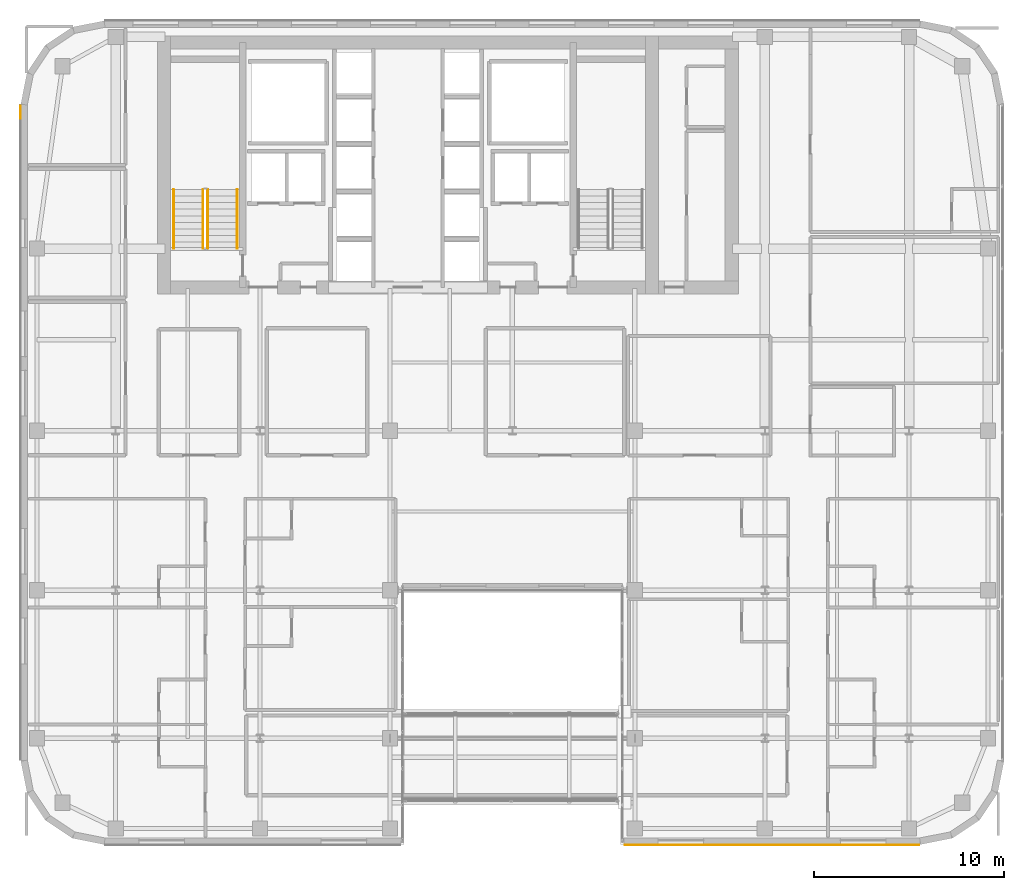
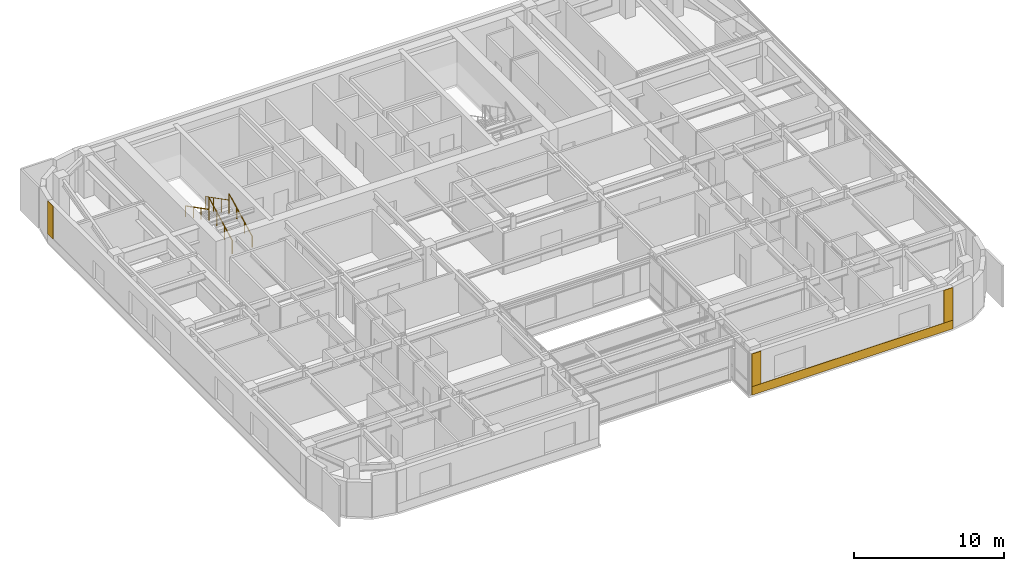
# One storey, part 24 of 26: 4 coverings, 4 railings.
"""IFC4 building model written with IfcOpenShell, lengths in metres."""

from ifc_helpers import new_model, si_unit, direction, frame, origin, origin_2d, place, context, subcontext, project, spatial, polyline, circle, outline, extrude, material, layer, layer_set, type_object, element, save


model = new_model("IFC4")

# Units and contexts
model_context = context("Model", 3, precision=1e-05, world=origin(), true_north=direction((0.0, 1.0)))
body_context = subcontext(model_context, "Body", "Model", "MODEL_VIEW")
ifc_project = project(units=[si_unit("LENGTHUNIT", "METRE"), si_unit("AREAUNIT", "SQUARE_METRE"), si_unit("VOLUMEUNIT", "CUBIC_METRE"), si_unit("PLANEANGLEUNIT", "RADIAN"), si_unit("MASSUNIT", "GRAM", prefix="KILO")], contexts=[model_context])

# Site, building, storey
site_placement = place(None, origin())
site = spatial("IfcSite", under=ifc_project, at=site_placement, CompositionType="ELEMENT")
building_placement = place(site_placement, origin())
building = spatial("IfcBuilding", under=site, at=building_placement, Name="Tolvann Quenvar Hotel", CompositionType="ELEMENT")
storey_placement = place(building_placement, frame((0.0, 0.0, 168.35009765625)))
storey = spatial("IfcBuildingStorey", under=building, at=storey_placement, Name="L44", CompositionType="ELEMENT", Elevation=168.35009765625)

# Coverings
ifc_material_1 = material(Name="Kiln-fired red architectural face brick cladding", Category="masonry")
ifc_layer_1 = layer(ifc_material_1, 0.0400390625)
ifc_layer_set_1 = layer_set([ifc_layer_1], Name="Kiln-fired red architectural face brick cladding")
covering_type_1 = type_object("IfcCoveringType", Name="COV_CLAD_BRICK_40", PredefinedType="CLADDING", material=ifc_layer_set_1)
covering_1_placement = place(storey_placement, frame((0.0, 0.0, 0.699951171875)))
element("IfcCovering", 1, at=covering_1_placement, inside=storey, type_object=covering_type_1, Name="Brick Pier Cladding (L44-E08-P1)", PredefinedType="CLADDING", context=body_context, shape_type="SweptSolid", body=[
    extrude(outline(polyline([(34.425048828125, 2.60009765625), (35.125, 2.60009765625), (35.125, 2.56005859375), (34.425048828125, 2.56005859375), (34.425048828125, 2.60009765625)])), origin(), (0.0, 0.0, 1.0), 2.669921875),
])
covering_2_placement = place(storey_placement, frame((0.0, 0.0, 0.699951171875)))
element("IfcCovering", 2, at=covering_2_placement, inside=storey, type_object=covering_type_1, Name="Brick Pier Cladding (L44-E08-P2)", PredefinedType="CLADDING", context=body_context, shape_type="SweptSolid", body=[
    extrude(outline(polyline([(49.23291015625, 2.60009765625), (49.932861328125, 2.60009765625), (49.932861328125, 2.56005859375), (49.23291015625, 2.56005859375), (49.23291015625, 2.60009765625)])), origin(), (0.0, 0.0, 1.0), 2.669921875),
])
covering_3_placement = place(storey_placement, frame((0.0, 0.0, 0.699951171875)))
element("IfcCovering", 3, at=covering_3_placement, inside=storey, type_object=covering_type_1, Name="Brick Pier Cladding (L44-E23-P1)", PredefinedType="CLADDING", context=body_context, shape_type="SweptSolid", body=[
    extrude(outline(polyline([(2.60009765625, 41.53271484375), (2.60009765625, 40.832763671875), (2.56005859375, 40.832763671875), (2.56005859375, 41.53271484375), (2.60009765625, 41.53271484375)])), origin(), (0.0, 0.0, 1.0), 2.669921875),
])
ifc_material_2 = material(Name="Moulded buff architectural terracotta spandrel cladding", Category="masonry")
ifc_layer_2 = layer(ifc_material_2, 0.0400390625)
ifc_layer_set_2 = layer_set([ifc_layer_2], Name="Moulded buff architectural terracotta spandrel cladding")
covering_type_2 = type_object("IfcCoveringType", Name="COV_CLAD_TERRA_40", PredefinedType="CLADDING", material=ifc_layer_set_2)
covering_4_placement = place(storey_placement, origin())
element("IfcCovering", 4, at=covering_4_placement, inside=storey, type_object=covering_type_2, Name="Terracotta Spandrel Cladding (L44-E08)", PredefinedType="CLADDING", context=body_context, shape_type="SweptSolid", body=[
    extrude(outline(polyline([(34.4150390625, 2.60009765625), (49.94287109375, 2.60009765625), (49.94287109375, 2.56005859375), (34.4150390625, 2.56005859375), (34.4150390625, 2.60009765625)])), origin(), (0.0, 0.0, 1.0), 0.699951171875),
])

# Railings
ifc_material_3 = material(Name="Brushed 316 stainless steel balustrade and handrail", Category="steel")
railing_type_1 = type_object("IfcRailingType", Name="GUARDRAIL", PredefinedType="GUARDRAIL", material=ifc_material_3)
railing_1_placement = place(storey_placement, frame((12.449951171875, 34.0, 0.177490234375)))
element("IfcRailing", 5, at=railing_1_placement, inside=storey, type_object=railing_type_1, Name="L44 ST-C1 stair guard 1", PredefinedType="GUARDRAIL", context=body_context, shape_type="SweptSolid", body=[
    extrude(circle(Radius=0.02392578125, at=origin_2d()), frame((0.0, 0.0, 1.09619140625), z_axis=(0.0, 0.889221982265, 0.45747597342), x_axis=(-1.0, 0.0, 0.0)), (0.0, 0.0, 1.0), 3.49169921875),
    extrude(circle(Radius=0.02099609375, at=origin_2d()), origin(), (0.0, 0.0, 1.0), 1.072021484375),
    extrude(circle(Radius=0.02099609375, at=origin_2d()), frame((0.0, 1.034912109375, 0.532470703125)), (0.0, 0.0, 1.0), 1.072021484375),
    extrude(circle(Radius=0.02099609375, at=origin_2d()), frame((0.0, 2.070068359375, 1.06494140625)), (0.0, 0.0, 1.0), 1.072021484375),
    extrude(circle(Radius=0.02099609375, at=origin_2d()), frame((0.0, 3.10498046875, 1.597412109375)), (0.0, 0.0, 1.0), 1.072021484375),
])
railing_2_placement = place(storey_placement, frame((12.199951171875, 37.10498046875, 1.952392578125)))
element("IfcRailing", 6, at=railing_2_placement, inside=storey, type_object=railing_type_1, Name="L44 ST-C1 stair guard 3", PredefinedType="GUARDRAIL", context=body_context, shape_type="SweptSolid", body=[
    extrude(circle(Radius=0.02392578125, at=origin_2d()), frame((0.0, 0.0, 1.09619140625), z_axis=(0.0, -0.889221982265, 0.45747597342), x_axis=(1.0, 0.0, 0.0)), (0.0, 0.0, 1.0), 3.49169921875),
    extrude(circle(Radius=0.02099609375, at=origin_2d()), origin(), (0.0, 0.0, 1.0), 1.072021484375),
    extrude(circle(Radius=0.02099609375, at=origin_2d()), frame((0.0, -1.034912109375, 0.532470703125)), (0.0, 0.0, 1.0), 1.072021484375),
    extrude(circle(Radius=0.02099609375, at=origin_2d()), frame((0.0, -2.070068359375, 1.06494140625)), (0.0, 0.0, 1.0), 1.072021484375),
    extrude(circle(Radius=0.02099609375, at=origin_2d()), frame((0.0, -3.10498046875, 1.597412109375)), (0.0, 0.0, 1.0), 1.072021484375),
])
railing_type_2 = type_object("IfcRailingType", Name="HANDRAIL", PredefinedType="HANDRAIL", material=ifc_material_3)
railing_3_placement = place(storey_placement, frame((14.0, 34.0, 0.177490234375)))
element("IfcRailing", 7, at=railing_3_placement, inside=storey, type_object=railing_type_2, Name="L44 ST-C1 stair handrail 1", PredefinedType="HANDRAIL", context=body_context, shape_type="SweptSolid", body=[
    extrude(circle(Radius=0.02392578125, at=origin_2d()), frame((0.0, 0.0, 0.8759765625), z_axis=(0.0, 0.889221982265, 0.45747597342), x_axis=(-1.0, 0.0, 0.0)), (0.0, 0.0, 1.0), 3.49169921875),
    extrude(circle(Radius=0.02099609375, at=origin_2d()), origin(), (0.0, 0.0, 1.0), 0.851806640625),
    extrude(circle(Radius=0.02099609375, at=origin_2d()), frame((0.0, 1.034912109375, 0.532470703125)), (0.0, 0.0, 1.0), 0.851806640625),
    extrude(circle(Radius=0.02099609375, at=origin_2d()), frame((0.0, 2.070068359375, 1.06494140625)), (0.0, 0.0, 1.0), 0.851806640625),
    extrude(circle(Radius=0.02099609375, at=origin_2d()), frame((0.0, 3.10498046875, 1.597412109375)), (0.0, 0.0, 1.0), 0.851806640625),
])
railing_4_placement = place(storey_placement, frame((10.64990234375, 37.10498046875, 1.952392578125)))
element("IfcRailing", 8, at=railing_4_placement, inside=storey, type_object=railing_type_2, Name="L44 ST-C1 stair handrail 2", PredefinedType="HANDRAIL", context=body_context, shape_type="SweptSolid", body=[
    extrude(circle(Radius=0.02392578125, at=origin_2d()), frame((0.0, 0.0, 0.8759765625), z_axis=(0.0, -0.889221982265, 0.45747597342), x_axis=(1.0, 0.0, 0.0)), (0.0, 0.0, 1.0), 3.49169921875),
    extrude(circle(Radius=0.02099609375, at=origin_2d()), origin(), (0.0, 0.0, 1.0), 0.851806640625),
    extrude(circle(Radius=0.02099609375, at=origin_2d()), frame((0.0, -1.034912109375, 0.532470703125)), (0.0, 0.0, 1.0), 0.851806640625),
    extrude(circle(Radius=0.02099609375, at=origin_2d()), frame((0.0, -2.070068359375, 1.06494140625)), (0.0, 0.0, 1.0), 0.851806640625),
    extrude(circle(Radius=0.02099609375, at=origin_2d()), frame((0.0, -3.10498046875, 1.597412109375)), (0.0, 0.0, 1.0), 0.851806640625),
])

save(model, "model.ifc")
